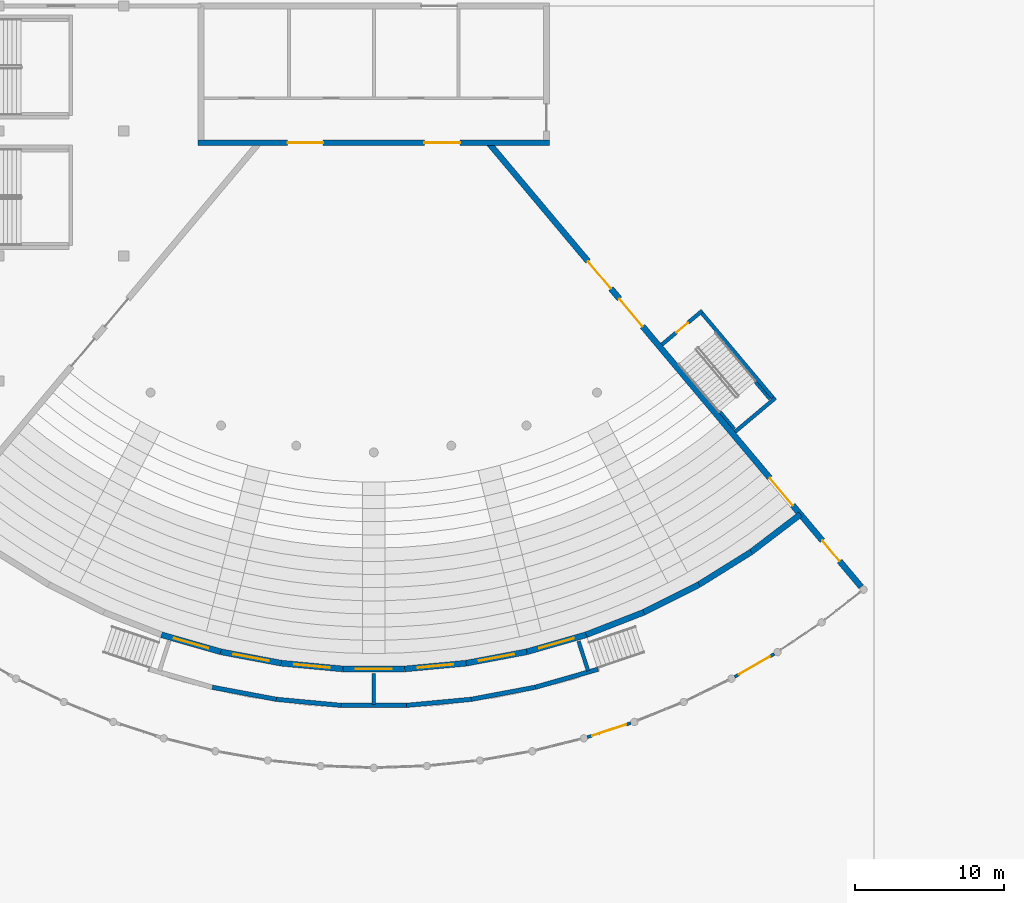
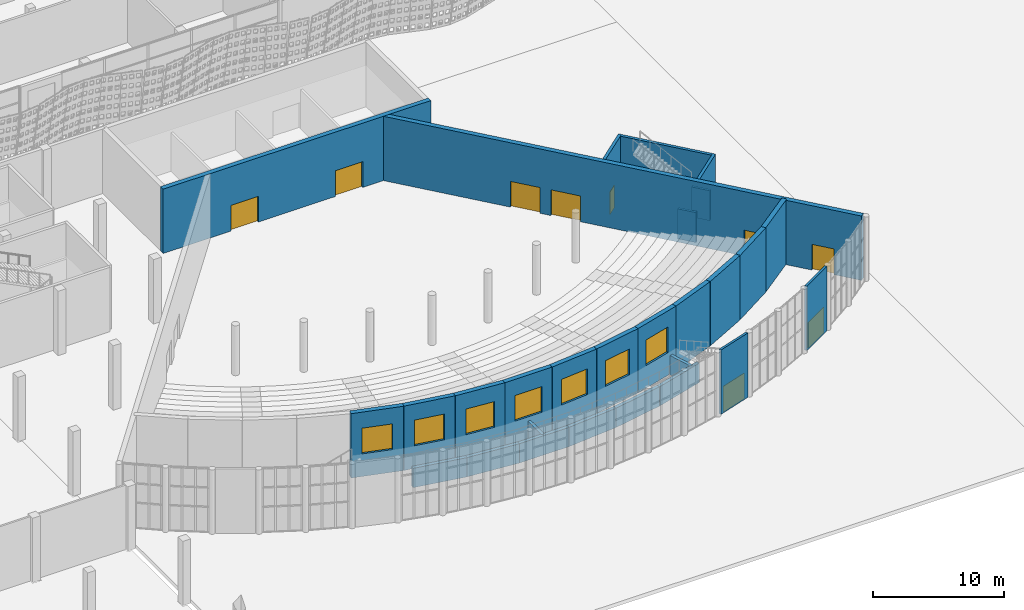
# One storey, part 109 of 210: 28 walls, 16 doors, 16 openings.
"""IFC4 building model written with IfcOpenShell, lengths in metres."""

from ifc_helpers import new_model, si_unit, direction, frame, frame_2d, origin, place, context, subcontext, project, spatial, rectangle, extrude, material, layer, layer_set, type_object, element, fill, save


model = new_model("IFC4")

# Units and contexts
model_context = context("Model", 3, precision=1e-05, world=origin(), true_north=direction((0.0, 1.0)))
body_context = subcontext(model_context, "Body", "Model", "MODEL_VIEW")
ifc_project = project(units=[si_unit("LENGTHUNIT", "METRE"), si_unit("AREAUNIT", "SQUARE_METRE"), si_unit("VOLUMEUNIT", "CUBIC_METRE"), si_unit("PLANEANGLEUNIT", "RADIAN"), si_unit("MASSUNIT", "GRAM", prefix="KILO")], contexts=[model_context])

# Site, building, storey
site_placement = place(None, origin())
site = spatial("IfcSite", under=ifc_project, at=site_placement, CompositionType="ELEMENT")
building_placement = place(site_placement, origin())
building = spatial("IfcBuilding", under=site, at=building_placement, Name="Rain Tree Exposition and Congress Centre", CompositionType="ELEMENT")
storey_placement = place(building_placement, origin())
storey = spatial("IfcBuildingStorey", under=building, at=storey_placement, Name="L00", CompositionType="ELEMENT", Elevation=0.0)

# Wall, openings, doors
ifc_material_1 = material(Name="Concrete C40/50", Category="concrete")
ifc_layer_1 = layer(ifc_material_1, 0.39990234375)
ifc_layer_set_1 = layer_set([ifc_layer_1], Name="Concrete C40/50")
wall_type_1 = type_object("IfcWallType", Name="Acoustic wall 400", PredefinedType="SHEAR", material=ifc_layer_set_1)
wall_1_placement = place(storey_placement, frame((209.3134765625, 58.007568359375, 0.0), z_axis=(0.0, 0.0, 1.0), x_axis=(0.642785544639, -0.766046175895, 0.0)))
wall_1 = element("IfcWall", 1, at=wall_1_placement, inside=storey, type_object=wall_type_1, Name="Side wall E", PredefinedType="SHEAR", context=body_context, shape_type="SweptSolid", body=[
    extrude(rectangle(XDim=38.9501953125, YDim=0.39990234375, at=frame_2d((19.47509765625, 0.0))), origin(), (0.0, 0.0, 1.0), 6.0),
])
opening_1_placement = place(wall_1_placement, frame((13.699951171875, 0.0, 0.0)))
opening_1 = element("IfcOpeningElement", 2, at=opening_1_placement, cuts=wall_1, Name="Opening DG104", PredefinedType="OPENING", context=body_context, shape_type="SweptSolid", body=[
    extrude(rectangle(XDim=2.39990234375, YDim=2.39990234375, at=frame_2d((1.199951171875, 1.199951171875))), frame((0.0, 0.199951171875, 0.0), z_axis=(0.0, -1.0, 0.0), x_axis=(1.0, 0.0, 0.0)), (0.0, 0.0, 1.0), 0.39990234375),
])
opening_2_placement = place(wall_1_placement, frame((10.39990234375, 0.0, 0.0)))
opening_2 = element("IfcOpeningElement", 3, at=opening_2_placement, cuts=wall_1, Name="Opening DG105", PredefinedType="OPENING", context=body_context, shape_type="SweptSolid", body=[
    extrude(rectangle(XDim=2.39990234375, YDim=2.39990234375, at=frame_2d((1.199951171875, 1.199951171875))), frame((0.0, 0.199951171875, 0.0), z_axis=(0.0, -1.0, 0.0), x_axis=(1.0, 0.0, 0.0)), (0.0, 0.0, 1.0), 0.39990234375),
])
opening_3_placement = place(wall_1_placement, frame((34.89990234375, 0.0, 0.0)))
opening_3 = element("IfcOpeningElement", 4, at=opening_3_placement, cuts=wall_1, Name="Opening DG106", PredefinedType="OPENING", context=body_context, shape_type="SweptSolid", body=[
    extrude(rectangle(XDim=1.800048828125, YDim=2.39990234375, at=frame_2d((0.89990234375, 1.199951171875))), frame((0.0, 0.199951171875, 0.0), z_axis=(0.0, -1.0, 0.0), x_axis=(1.0, 0.0, 0.0)), (0.0, 0.0, 1.0), 0.39990234375),
])
opening_4_placement = place(wall_1_placement, frame((29.39990234375, 0.0, 0.0)))
opening_4 = element("IfcOpeningElement", 5, at=opening_4_placement, cuts=wall_1, Name="Opening DG107", PredefinedType="OPENING", context=body_context, shape_type="SweptSolid", body=[
    extrude(rectangle(XDim=2.39990234375, YDim=2.39990234375, at=frame_2d((1.199951171875, 1.199951171875))), frame((0.0, 0.199951171875, 0.0), z_axis=(0.0, -1.0, 0.0), x_axis=(1.0, 0.0, 0.0)), (0.0, 0.0, 1.0), 0.39990234375),
])
ifc_material_2 = material(Name="Timber with steel frame", Category="steel")
door_type_1 = type_object("IfcDoorType", Name="Auditorium exit door 1800x2400", OperationType="DOUBLE_DOOR_SINGLE_SWING", PredefinedType="DOOR", material=ifc_material_2)
door_1_placement = place(opening_3_placement, origin())
door_1 = element("IfcDoor", 6, at=door_1_placement, inside=storey, type_object=door_type_1, Name="DG106", OperationType="DOUBLE_DOOR_SINGLE_SWING", OverallHeight=2.39990234375, OverallWidth=1.800048828125, PredefinedType="DOOR", context=body_context, shape_type="SweptSolid", body=[
    extrude(rectangle(XDim=1.800048828125, YDim=2.39990234375, at=frame_2d((0.89990234375, 1.199951171875))), frame((0.0, 0.02490234375, 0.0), z_axis=(0.0, -1.0, 0.0), x_axis=(1.0, 0.0, 0.0)), (0.0, 0.0, 1.0), 0.050048828125),
])
fill(opening_3, door_1)
ifc_material_3 = material(Name="Aluminium and glass", Category="aluminium")
door_type_2 = type_object("IfcDoorType", Name="Entrance door 2400x2400", OperationType="DOUBLE_DOOR_SINGLE_SWING", PredefinedType="DOOR", material=ifc_material_3)
door_2_placement = place(opening_1_placement, origin())
door_2 = element("IfcDoor", 7, at=door_2_placement, inside=storey, type_object=door_type_2, Name="DG104", OperationType="DOUBLE_DOOR_SINGLE_SWING", OverallHeight=2.39990234375, OverallWidth=2.39990234375, PredefinedType="DOOR", context=body_context, shape_type="SweptSolid", body=[
    extrude(rectangle(XDim=2.39990234375, YDim=2.39990234375, at=frame_2d((1.199951171875, 1.199951171875))), frame((0.0, 0.02490234375, 0.0), z_axis=(0.0, -1.0, 0.0), x_axis=(1.0, 0.0, 0.0)), (0.0, 0.0, 1.0), 0.050048828125),
])
fill(opening_1, door_2)
door_3_placement = place(opening_2_placement, origin())
door_3 = element("IfcDoor", 8, at=door_3_placement, inside=storey, type_object=door_type_2, Name="DG105", OperationType="DOUBLE_DOOR_SINGLE_SWING", OverallHeight=2.39990234375, OverallWidth=2.39990234375, PredefinedType="DOOR", context=body_context, shape_type="SweptSolid", body=[
    extrude(rectangle(XDim=2.39990234375, YDim=2.39990234375, at=frame_2d((1.199951171875, 1.199951171875))), frame((0.0, 0.02490234375, 0.0), z_axis=(0.0, -1.0, 0.0), x_axis=(1.0, 0.0, 0.0)), (0.0, 0.0, 1.0), 0.050048828125),
])
fill(opening_2, door_3)
door_4_placement = place(opening_4_placement, origin())
door_4 = element("IfcDoor", 9, at=door_4_placement, inside=storey, type_object=door_type_2, Name="DG107", OperationType="DOUBLE_DOOR_SINGLE_SWING", OverallHeight=2.39990234375, OverallWidth=2.39990234375, PredefinedType="DOOR", context=body_context, shape_type="SweptSolid", body=[
    extrude(rectangle(XDim=2.39990234375, YDim=2.39990234375, at=frame_2d((1.199951171875, 1.199951171875))), frame((0.0, 0.02490234375, 0.0), z_axis=(0.0, -1.0, 0.0), x_axis=(1.0, 0.0, 0.0)), (0.0, 0.0, 1.0), 0.050048828125),
])
fill(opening_4, door_4)

# Wall, opening, door
wall_2_placement = place(storey_placement, frame((187.3251953125, 24.946044921875, 0.0), z_axis=(0.0, 0.0, 1.0), x_axis=(0.961268236171, -0.275614546295, 0.0)))
wall_2 = element("IfcWall", 10, at=wall_2_placement, inside=storey, type_object=wall_type_1, Name="Rear wall 5", PredefinedType="SHEAR", context=body_context, shape_type="SweptSolid", body=[
    extrude(rectangle(XDim=4.14990234375, YDim=0.39990234375, at=frame_2d((2.074951171875, 0.0))), origin(), (0.0, 0.0, 1.0), 6.0),
])
opening_5_placement = place(wall_2_placement, frame((0.875, 0.0, 2.10009765625)))
opening_5 = element("IfcOpeningElement", 11, at=opening_5_placement, cuts=wall_2, Name="Opening DG110", PredefinedType="OPENING", context=body_context, shape_type="SweptSolid", body=[
    extrude(rectangle(XDim=2.39990234375, YDim=2.39990234375, at=frame_2d((1.199951171875, 1.199951171875))), frame((0.0, 0.199951171875, 0.0), z_axis=(0.0, -1.0, 0.0), x_axis=(1.0, 0.0, 0.0)), (0.0, 0.0, 1.0), 0.39990234375),
])
door_5_placement = place(opening_5_placement, origin())
door_5 = element("IfcDoor", 12, at=door_5_placement, inside=storey, type_object=door_type_2, Name="DG110", OperationType="DOUBLE_DOOR_SINGLE_SWING", OverallHeight=2.39990234375, OverallWidth=2.39990234375, PredefinedType="DOOR", context=body_context, shape_type="SweptSolid", body=[
    extrude(rectangle(XDim=2.39990234375, YDim=2.39990234375, at=frame_2d((1.199951171875, 1.199951171875))), frame((0.0, 0.02490234375, 0.0), z_axis=(0.0, -1.0, 0.0), x_axis=(1.0, 0.0, 0.0)), (0.0, 0.0, 1.0), 0.050048828125),
])
fill(opening_5, door_5)

wall_3_placement = place(storey_placement, frame((191.314453125, 23.80224609375, 0.0), z_axis=(0.0, 0.0, 1.0), x_axis=(0.982713991067, -0.185130256204, 0.0)))
wall_3 = element("IfcWall", 13, at=wall_3_placement, inside=storey, type_object=wall_type_1, Name="Rear wall 6", PredefinedType="SHEAR", context=body_context, shape_type="SweptSolid", body=[
    extrude(rectangle(XDim=4.150146484375, YDim=0.39990234375, at=frame_2d((2.0751953125, 0.0))), origin(), (0.0, 0.0, 1.0), 6.0),
])
opening_6_placement = place(wall_3_placement, frame((0.875, 0.0, 2.10009765625)))
opening_6 = element("IfcOpeningElement", 14, at=opening_6_placement, cuts=wall_3, Name="Opening DG111", PredefinedType="OPENING", context=body_context, shape_type="SweptSolid", body=[
    extrude(rectangle(XDim=2.39990234375, YDim=2.39990234375, at=frame_2d((1.199951171875, 1.199951171875))), frame((0.0, 0.199951171875, 0.0), z_axis=(0.0, -1.0, 0.0), x_axis=(1.0, 0.0, 0.0)), (0.0, 0.0, 1.0), 0.39990234375),
])
door_6_placement = place(opening_6_placement, origin())
door_6 = element("IfcDoor", 15, at=door_6_placement, inside=storey, type_object=door_type_2, Name="DG111", OperationType="DOUBLE_DOOR_SINGLE_SWING", OverallHeight=2.39990234375, OverallWidth=2.39990234375, PredefinedType="DOOR", context=body_context, shape_type="SweptSolid", body=[
    extrude(rectangle(XDim=2.39990234375, YDim=2.39990234375, at=frame_2d((1.199951171875, 1.199951171875))), frame((0.0, 0.02490234375, 0.0), z_axis=(0.0, -1.0, 0.0), x_axis=(1.0, 0.0, 0.0)), (0.0, 0.0, 1.0), 0.050048828125),
])
fill(opening_6, door_6)

wall_4_placement = place(storey_placement, frame((195.392822265625, 23.033935546875, 0.0), z_axis=(0.0, 0.0, 1.0), x_axis=(0.99567088113, -0.09294889171, 0.0)))
wall_4 = element("IfcWall", 16, at=wall_4_placement, inside=storey, type_object=wall_type_1, Name="Rear wall 7", PredefinedType="SHEAR", context=body_context, shape_type="SweptSolid", body=[
    extrude(rectangle(XDim=4.150146484375, YDim=0.39990234375, at=frame_2d((2.0751953125, 0.0))), origin(), (0.0, 0.0, 1.0), 6.0),
])
opening_7_placement = place(wall_4_placement, frame((0.875, 0.0, 2.10009765625)))
opening_7 = element("IfcOpeningElement", 17, at=opening_7_placement, cuts=wall_4, Name="Opening DG112", PredefinedType="OPENING", context=body_context, shape_type="SweptSolid", body=[
    extrude(rectangle(XDim=2.39990234375, YDim=2.39990234375, at=frame_2d((1.199951171875, 1.199951171875))), frame((0.0, 0.199951171875, 0.0), z_axis=(0.0, -1.0, 0.0), x_axis=(1.0, 0.0, 0.0)), (0.0, 0.0, 1.0), 0.39990234375),
])
door_7_placement = place(opening_7_placement, origin())
door_7 = element("IfcDoor", 18, at=door_7_placement, inside=storey, type_object=door_type_2, Name="DG112", OperationType="DOUBLE_DOOR_SINGLE_SWING", OverallHeight=2.39990234375, OverallWidth=2.39990234375, PredefinedType="DOOR", context=body_context, shape_type="SweptSolid", body=[
    extrude(rectangle(XDim=2.39990234375, YDim=2.39990234375, at=frame_2d((1.199951171875, 1.199951171875))), frame((0.0, 0.02490234375, 0.0), z_axis=(0.0, -1.0, 0.0), x_axis=(1.0, 0.0, 0.0)), (0.0, 0.0, 1.0), 0.050048828125),
])
fill(opening_7, door_7)

wall_5_placement = place(storey_placement, frame((199.52490234375, 22.648193359375, 0.0), z_axis=(0.0, 0.0, 1.0), x_axis=(1.0, 0.0, 0.0)))
wall_5 = element("IfcWall", 19, at=wall_5_placement, inside=storey, type_object=wall_type_1, Name="Rear wall 8", PredefinedType="SHEAR", context=body_context, shape_type="SweptSolid", body=[
    extrude(rectangle(XDim=4.150146484375, YDim=0.39990234375, at=frame_2d((2.0751953125, 0.0))), origin(), (0.0, 0.0, 1.0), 6.0),
])
opening_8_placement = place(wall_5_placement, frame((0.875, 0.0, 2.10009765625)))
opening_8 = element("IfcOpeningElement", 20, at=opening_8_placement, cuts=wall_5, Name="Opening DG113", PredefinedType="OPENING", context=body_context, shape_type="SweptSolid", body=[
    extrude(rectangle(XDim=2.39990234375, YDim=2.39990234375, at=frame_2d((1.199951171875, 1.199951171875))), frame((0.0, 0.199951171875, 0.0), z_axis=(0.0, -1.0, 0.0), x_axis=(1.0, 0.0, 0.0)), (0.0, 0.0, 1.0), 0.39990234375),
])
door_8_placement = place(opening_8_placement, origin())
door_8 = element("IfcDoor", 21, at=door_8_placement, inside=storey, type_object=door_type_2, Name="DG113", OperationType="DOUBLE_DOOR_SINGLE_SWING", OverallHeight=2.39990234375, OverallWidth=2.39990234375, PredefinedType="DOOR", context=body_context, shape_type="SweptSolid", body=[
    extrude(rectangle(XDim=2.39990234375, YDim=2.39990234375, at=frame_2d((1.199951171875, 1.199951171875))), frame((0.0, 0.02490234375, 0.0), z_axis=(0.0, -1.0, 0.0), x_axis=(1.0, 0.0, 0.0)), (0.0, 0.0, 1.0), 0.050048828125),
])
fill(opening_8, door_8)

wall_6_placement = place(storey_placement, frame((203.675048828125, 22.648193359375, 0.0), z_axis=(0.0, 0.0, 1.0), x_axis=(0.99567088113, 0.09294889171, 0.0)))
wall_6 = element("IfcWall", 22, at=wall_6_placement, inside=storey, type_object=wall_type_1, Name="Rear wall 9", PredefinedType="SHEAR", context=body_context, shape_type="SweptSolid", body=[
    extrude(rectangle(XDim=4.150146484375, YDim=0.39990234375, at=frame_2d((2.0751953125, 0.0))), origin(), (0.0, 0.0, 1.0), 6.0),
])
opening_9_placement = place(wall_6_placement, frame((0.875, 0.0, 2.10009765625)))
opening_9 = element("IfcOpeningElement", 23, at=opening_9_placement, cuts=wall_6, Name="Opening DG114", PredefinedType="OPENING", context=body_context, shape_type="SweptSolid", body=[
    extrude(rectangle(XDim=2.39990234375, YDim=2.39990234375, at=frame_2d((1.199951171875, 1.199951171875))), frame((0.0, 0.199951171875, 0.0), z_axis=(0.0, -1.0, 0.0), x_axis=(1.0, 0.0, 0.0)), (0.0, 0.0, 1.0), 0.39990234375),
])
door_9_placement = place(opening_9_placement, origin())
door_9 = element("IfcDoor", 24, at=door_9_placement, inside=storey, type_object=door_type_2, Name="DG114", OperationType="DOUBLE_DOOR_SINGLE_SWING", OverallHeight=2.39990234375, OverallWidth=2.39990234375, PredefinedType="DOOR", context=body_context, shape_type="SweptSolid", body=[
    extrude(rectangle(XDim=2.39990234375, YDim=2.39990234375, at=frame_2d((1.199951171875, 1.199951171875))), frame((0.0, 0.02490234375, 0.0), z_axis=(0.0, -1.0, 0.0), x_axis=(1.0, 0.0, 0.0)), (0.0, 0.0, 1.0), 0.050048828125),
])
fill(opening_9, door_9)

wall_7_placement = place(storey_placement, frame((207.80712890625, 23.033935546875, 0.0), z_axis=(0.0, 0.0, 1.0), x_axis=(0.982713991067, 0.185130256204, 0.0)))
wall_7 = element("IfcWall", 25, at=wall_7_placement, inside=storey, type_object=wall_type_1, Name="Rear wall 10", PredefinedType="SHEAR", context=body_context, shape_type="SweptSolid", body=[
    extrude(rectangle(XDim=4.150146484375, YDim=0.39990234375, at=frame_2d((2.0751953125, 0.0))), origin(), (0.0, 0.0, 1.0), 6.0),
])
opening_10_placement = place(wall_7_placement, frame((0.875, 0.0, 2.10009765625)))
opening_10 = element("IfcOpeningElement", 26, at=opening_10_placement, cuts=wall_7, Name="Opening DG115", PredefinedType="OPENING", context=body_context, shape_type="SweptSolid", body=[
    extrude(rectangle(XDim=2.39990234375, YDim=2.39990234375, at=frame_2d((1.199951171875, 1.199951171875))), frame((0.0, 0.199951171875, 0.0), z_axis=(0.0, -1.0, 0.0), x_axis=(1.0, 0.0, 0.0)), (0.0, 0.0, 1.0), 0.39990234375),
])
door_10_placement = place(opening_10_placement, origin())
door_10 = element("IfcDoor", 27, at=door_10_placement, inside=storey, type_object=door_type_2, Name="DG115", OperationType="DOUBLE_DOOR_SINGLE_SWING", OverallHeight=2.39990234375, OverallWidth=2.39990234375, PredefinedType="DOOR", context=body_context, shape_type="SweptSolid", body=[
    extrude(rectangle(XDim=2.39990234375, YDim=2.39990234375, at=frame_2d((1.199951171875, 1.199951171875))), frame((0.0, 0.02490234375, 0.0), z_axis=(0.0, -1.0, 0.0), x_axis=(1.0, 0.0, 0.0)), (0.0, 0.0, 1.0), 0.050048828125),
])
fill(opening_10, door_10)

wall_8_placement = place(storey_placement, frame((211.885498046875, 23.80224609375, 0.0), z_axis=(0.0, 0.0, 1.0), x_axis=(0.961268236171, 0.275614546295, 0.0)))
wall_8 = element("IfcWall", 28, at=wall_8_placement, inside=storey, type_object=wall_type_1, Name="Rear wall 11", PredefinedType="SHEAR", context=body_context, shape_type="SweptSolid", body=[
    extrude(rectangle(XDim=4.14990234375, YDim=0.39990234375, at=frame_2d((2.074951171875, 0.0))), origin(), (0.0, 0.0, 1.0), 6.0),
])
opening_11_placement = place(wall_8_placement, frame((0.875, 0.0, 2.10009765625)))
opening_11 = element("IfcOpeningElement", 29, at=opening_11_placement, cuts=wall_8, Name="Opening DG116", PredefinedType="OPENING", context=body_context, shape_type="SweptSolid", body=[
    extrude(rectangle(XDim=2.39990234375, YDim=2.39990234375, at=frame_2d((1.199951171875, 1.199951171875))), frame((0.0, 0.199951171875, 0.0), z_axis=(0.0, -1.0, 0.0), x_axis=(1.0, 0.0, 0.0)), (0.0, 0.0, 1.0), 0.39990234375),
])
door_11_placement = place(opening_11_placement, origin())
door_11 = element("IfcDoor", 30, at=door_11_placement, inside=storey, type_object=door_type_2, Name="DG116", OperationType="DOUBLE_DOOR_SINGLE_SWING", OverallHeight=2.39990234375, OverallWidth=2.39990234375, PredefinedType="DOOR", context=body_context, shape_type="SweptSolid", body=[
    extrude(rectangle(XDim=2.39990234375, YDim=2.39990234375, at=frame_2d((1.199951171875, 1.199951171875))), frame((0.0, 0.02490234375, 0.0), z_axis=(0.0, -1.0, 0.0), x_axis=(1.0, 0.0, 0.0)), (0.0, 0.0, 1.0), 0.050048828125),
])
fill(opening_11, door_11)

# Walls
for number, where, z_axis, x_axis, name in (
    (31, (215.874755859375, 24.946044921875, 0.0), (0.0, 0.0, 1.0), (0.931480400258, 0.363791511633, 0.0), "Rear wall 12"),
    (32, (219.740478515625, 26.455810546875, 0.0), (0.0, 0.0, 1.0), (0.893637522773, 0.448789458313, 0.0), "Rear wall 13"),
):
    element("IfcWall", number, at=place(storey_placement, frame(where, z_axis=z_axis, x_axis=x_axis)), inside=storey, type_object=wall_type_1, Name=name, PredefinedType="SHEAR", context=body_context, shape_type="SweptSolid", body=[
        extrude(rectangle(XDim=4.150146484375, YDim=0.39990234375, at=frame_2d((2.0751953125, 0.0))), origin(), (0.0, 0.0, 1.0), 6.0),
    ])
wall_9_placement = place(storey_placement, frame((223.44921875, 28.318359375, 0.0), z_axis=(0.0, 0.0, 1.0), x_axis=(0.848034657637, 0.529940769753, 0.0)))
element("IfcWall", 33, at=wall_9_placement, inside=storey, type_object=wall_type_1, Name="Rear wall 14", PredefinedType="SHEAR", context=body_context, shape_type="SweptSolid", body=[
    extrude(rectangle(XDim=4.14990234375, YDim=0.39990234375, at=frame_2d((2.074951171875, 0.0))), origin(), (0.0, 0.0, 1.0), 6.0),
])
wall_10_placement = place(storey_placement, frame((226.968505859375, 30.517578125, 0.0), z_axis=(0.0, 0.0, 1.0), x_axis=(0.795116964112, 0.60645611002, 0.0)))
element("IfcWall", 34, at=wall_10_placement, inside=storey, type_object=wall_type_1, Name="Rear wall 15", PredefinedType="SHEAR", context=body_context, shape_type="SweptSolid", body=[
    extrude(rectangle(XDim=4.150146484375, YDim=0.39990234375, at=frame_2d((2.0751953125, 0.0))), origin(), (0.0, 0.0, 1.0), 6.0),
])

# Wall, openings, doors
wall_11_placement = place(storey_placement, frame((189.800048828125, 58.010009765625, 0.0), z_axis=(0.0, 0.0, 1.0), x_axis=(1.0, 0.0, 0.0)))
wall_11 = element("IfcWall", 35, at=wall_11_placement, inside=storey, type_object=wall_type_1, Name="Stage wall", PredefinedType="SHEAR", context=body_context, shape_type="SweptSolid", body=[
    extrude(rectangle(XDim=23.599853515625, YDim=0.39990234375, at=frame_2d((11.7998046875, 0.0))), origin(), (0.0, 0.0, 1.0), 6.0),
])
opening_12_placement = place(wall_11_placement, frame((6.0, 0.0, 0.0)))
opening_12 = element("IfcOpeningElement", 36, at=opening_12_placement, cuts=wall_11, Name="Opening DG117", PredefinedType="OPENING", context=body_context, shape_type="SweptSolid", body=[
    extrude(rectangle(XDim=2.39990234375, YDim=2.39990234375, at=frame_2d((1.199951171875, 1.199951171875))), frame((0.0, 0.199951171875, 0.0), z_axis=(0.0, -1.0, 0.0), x_axis=(1.0, 0.0, 0.0)), (0.0, 0.0, 1.0), 0.39990234375),
])
opening_13_placement = place(wall_11_placement, frame((15.199951171875, 0.0, 0.0)))
opening_13 = element("IfcOpeningElement", 37, at=opening_13_placement, cuts=wall_11, Name="Opening DG118", PredefinedType="OPENING", context=body_context, shape_type="SweptSolid", body=[
    extrude(rectangle(XDim=2.39990234375, YDim=2.39990234375, at=frame_2d((1.199951171875, 1.199951171875))), frame((0.0, 0.199951171875, 0.0), z_axis=(0.0, -1.0, 0.0), x_axis=(1.0, 0.0, 0.0)), (0.0, 0.0, 1.0), 0.39990234375),
])
ifc_material_4 = material(Name="Steel", Category="steel")
door_type_3 = type_object("IfcDoorType", Name="Scenery door 2400x2400", OperationType="DOUBLE_DOOR_SINGLE_SWING", PredefinedType="DOOR", material=ifc_material_4)
door_12_placement = place(opening_12_placement, origin())
door_12 = element("IfcDoor", 38, at=door_12_placement, inside=storey, type_object=door_type_3, Name="DG117", OperationType="DOUBLE_DOOR_SINGLE_SWING", OverallHeight=2.39990234375, OverallWidth=2.39990234375, PredefinedType="DOOR", context=body_context, shape_type="SweptSolid", body=[
    extrude(rectangle(XDim=2.39990234375, YDim=2.39990234375, at=frame_2d((1.199951171875, 1.199951171875))), frame((0.0, 0.02490234375, 0.0), z_axis=(0.0, -1.0, 0.0), x_axis=(1.0, 0.0, 0.0)), (0.0, 0.0, 1.0), 0.050048828125),
])
fill(opening_12, door_12)
door_13_placement = place(opening_13_placement, origin())
door_13 = element("IfcDoor", 39, at=door_13_placement, inside=storey, type_object=door_type_3, Name="DG118", OperationType="DOUBLE_DOOR_SINGLE_SWING", OverallHeight=2.39990234375, OverallWidth=2.39990234375, PredefinedType="DOOR", context=body_context, shape_type="SweptSolid", body=[
    extrude(rectangle(XDim=2.39990234375, YDim=2.39990234375, at=frame_2d((1.199951171875, 1.199951171875))), frame((0.0, 0.02490234375, 0.0), z_axis=(0.0, -1.0, 0.0), x_axis=(1.0, 0.0, 0.0)), (0.0, 0.0, 1.0), 0.050048828125),
])
fill(opening_13, door_13)

# Walls
ifc_material_5 = material(Name="Concrete C40/50", Category="concrete")
ifc_layer_2 = layer(ifc_material_5, 0.25)
ifc_layer_set_2 = layer_set([ifc_layer_2], Name="Concrete C40/50")
wall_type_2 = type_object("IfcWallType", Name="Core wall 250", PredefinedType="SHEAR", material=ifc_layer_set_2)
for number, where, z_axis, x_axis, name in (
    (40, (224.873779296875, 39.93017578125, 0.0), (0.0, 0.0, 1.0), (0.64272629393, -0.766095888966, 0.0), "ST-G2 landing support wall 1"),
    (41, (228.212646484375, 40.773681640625, 0.0), (0.0, 0.0, 1.0), (-0.64272629393, 0.766095888966, 0.0), "ST-G2 landing support wall 2"),
):
    element("IfcWall", number, at=place(storey_placement, frame(where, z_axis=z_axis, x_axis=x_axis)), inside=storey, type_object=wall_type_2, Name=name, PredefinedType="SHEAR", context=body_context, shape_type="SweptSolid", body=[
        extrude(rectangle(XDim=1.5, YDim=0.199951171875, at=frame_2d((0.75, 0.0))), origin(), (0.0, 0.0, 1.0), 2.800048828125),
    ])

# Wall, opening, door
wall_12_placement = place(storey_placement, frame((220.95654296875, 44.443115234375, 0.0), z_axis=(0.0, 0.0, 1.0), x_axis=(0.766040775131, 0.642791980999, 0.0)))
wall_12 = element("IfcWall", 42, at=wall_12_placement, inside=storey, type_object=wall_type_2, Name="Stair ST-G2 near wall", PredefinedType="SHEAR", context=body_context, shape_type="SweptSolid", body=[
    extrude(rectangle(XDim=3.5498046875, YDim=0.25, at=frame_2d((1.77490234375, 0.0))), origin(), (0.0, 0.0, 1.0), 6.0),
])
opening_14_placement = place(wall_12_placement, frame((1.27490234375, 0.0, 0.0)))
opening_14 = element("IfcOpeningElement", 43, at=opening_14_placement, cuts=wall_12, Name="Opening DG134", PredefinedType="OPENING", context=body_context, shape_type="SweptSolid", body=[
    extrude(rectangle(XDim=1.0, YDim=2.10009765625, at=frame_2d((0.5, 1.050048828125))), frame((0.0, 0.125, 0.0), z_axis=(0.0, -1.0, 0.0), x_axis=(1.0, 0.0, 0.0)), (0.0, 0.0, 1.0), 0.25),
])
ifc_material_6 = material(Name="Steel", Category="steel")
door_type_4 = type_object("IfcDoorType", Name="Fire door 1000x2100 congress", OperationType="NOTDEFINED", PredefinedType="DOOR", material=ifc_material_6)
door_14_placement = place(opening_14_placement, origin())
door_14 = element("IfcDoor", 44, at=door_14_placement, inside=storey, type_object=door_type_4, Name="DG134", OperationType="SINGLE_SWING_LEFT", OverallHeight=2.10009765625, OverallWidth=1.0, PredefinedType="DOOR", context=body_context, shape_type="SweptSolid", body=[
    extrude(rectangle(XDim=1.0, YDim=2.10009765625, at=frame_2d((0.5, 1.050048828125))), frame((0.0, 0.02490234375, 0.0), z_axis=(0.0, -1.0, 0.0), x_axis=(1.0, 0.0, 0.0)), (0.0, 0.0, 1.0), 0.050048828125),
])
fill(opening_14, door_14)

# Walls
wall_13_placement = place(storey_placement, frame((225.873779296875, 38.582763671875, 0.0), z_axis=(0.0, 0.0, 1.0), x_axis=(0.766069190366, 0.642758115913, 0.0)))
element("IfcWall", 45, at=wall_13_placement, inside=storey, type_object=wall_type_2, Name="Stair ST-G2 far wall", PredefinedType="SHEAR", context=body_context, shape_type="SweptSolid", body=[
    extrude(rectangle(XDim=3.5498046875, YDim=0.25, at=frame_2d((1.77490234375, 0.0))), origin(), (0.0, 0.0, 1.0), 6.0),
])
wall_14_placement = place(storey_placement, frame((223.660400390625, 46.548828125, 0.0), z_axis=(0.0, 0.0, 1.0), x_axis=(0.642789672733, -0.766042712013, 0.0)))
element("IfcWall", 46, at=wall_14_placement, inside=storey, type_object=wall_type_2, Name="Stair ST-G2 outer wall", PredefinedType="SHEAR", context=body_context, shape_type="SweptSolid", body=[
    extrude(rectangle(XDim=7.400390625, YDim=0.25, at=frame_2d((3.7001953125, 0.0))), origin(), (0.0, 0.0, 1.0), 6.0),
])

# Wall, opening, door
ifc_material_7 = material(Name="Concrete C32/40", Category="concrete")
ifc_layer_3 = layer(ifc_material_7, 0.199951171875)
ifc_layer_set_3 = layer_set([ifc_layer_3], Name="Concrete C32/40")
wall_type_3 = type_object("IfcWallType", Name="Entrance infill wall 200", PredefinedType="SOLIDWALL", material=ifc_layer_set_3)
wall_15_placement = place(storey_placement, frame((215.950439453125, 18.060791015625, 0.0), z_axis=(0.0, 0.0, 1.0), x_axis=(0.951070251543, 0.308974718432, 0.0)))
wall_15 = element("IfcWall", 47, at=wall_15_placement, inside=storey, type_object=wall_type_3, Name="Entrance infill wall 15", PredefinedType="SOLIDWALL", context=body_context, shape_type="SweptSolid", body=[
    extrude(rectangle(XDim=3.07373046875, YDim=0.199951171875, at=frame_2d((1.536865234375, 0.0))), origin(), (0.0, 0.0, 1.0), 6.0),
])
opening_15_placement = place(wall_15_placement, frame((0.3369140625, 0.0, 0.0)))
opening_15 = element("IfcOpeningElement", 48, at=opening_15_placement, cuts=wall_15, Name="Opening DG127", PredefinedType="OPENING", context=body_context, shape_type="SweptSolid", body=[
    extrude(rectangle(XDim=2.39990234375, YDim=2.39990234375, at=frame_2d((1.199951171875, 1.199951171875))), frame((0.0, 0.10009765625, 0.0), z_axis=(0.0, -1.0, 0.0), x_axis=(1.0, 0.0, 0.0)), (0.0, 0.0, 1.0), 0.199951171875),
])
door_15_placement = place(opening_15_placement, origin())
door_15 = element("IfcDoor", 49, at=door_15_placement, inside=storey, type_object=door_type_2, Name="DG127", OperationType="DOUBLE_DOOR_SINGLE_SWING", OverallHeight=2.39990234375, OverallWidth=2.39990234375, PredefinedType="DOOR", context=body_context, shape_type="SweptSolid", body=[
    extrude(rectangle(XDim=2.39990234375, YDim=2.39990234375, at=frame_2d((1.199951171875, 1.199951171875))), frame((0.0, 0.02490234375, 0.0), z_axis=(0.0, -1.0, 0.0), x_axis=(1.0, 0.0, 0.0)), (0.0, 0.0, 1.0), 0.050048828125),
])
fill(opening_15, door_15)

wall_16_placement = place(storey_placement, frame((225.853515625, 22.1181640625, 0.0), z_axis=(0.0, 0.0, 1.0), x_axis=(0.866054637847, 0.499949361699, 0.0)))
wall_16 = element("IfcWall", 50, at=wall_16_placement, inside=storey, type_object=wall_type_3, Name="Entrance infill wall 18", PredefinedType="SOLIDWALL", context=body_context, shape_type="SweptSolid", body=[
    extrude(rectangle(XDim=3.073486328125, YDim=0.199951171875, at=frame_2d((1.53662109375, 0.0))), origin(), (0.0, 0.0, 1.0), 6.0),
])
opening_16_placement = place(wall_16_placement, frame((0.3369140625, 0.0, 0.0)))
opening_16 = element("IfcOpeningElement", 51, at=opening_16_placement, cuts=wall_16, Name="Opening DG128", PredefinedType="OPENING", context=body_context, shape_type="SweptSolid", body=[
    extrude(rectangle(XDim=2.39990234375, YDim=2.39990234375, at=frame_2d((1.199951171875, 1.199951171875))), frame((0.0, 0.10009765625, 0.0), z_axis=(0.0, -1.0, 0.0), x_axis=(1.0, 0.0, 0.0)), (0.0, 0.0, 1.0), 0.199951171875),
])
door_16_placement = place(opening_16_placement, origin())
door_16 = element("IfcDoor", 52, at=door_16_placement, inside=storey, type_object=door_type_2, Name="DG128", OperationType="DOUBLE_DOOR_SINGLE_SWING", OverallHeight=2.39990234375, OverallWidth=2.39990234375, PredefinedType="DOOR", context=body_context, shape_type="SweptSolid", body=[
    extrude(rectangle(XDim=2.39990234375, YDim=2.39990234375, at=frame_2d((1.199951171875, 1.199951171875))), frame((0.0, 0.02490234375, 0.0), z_axis=(0.0, -1.0, 0.0), x_axis=(1.0, 0.0, 0.0)), (0.0, 0.0, 1.0), 0.050048828125),
])
fill(opening_16, door_16)

# Walls
ifc_material_8 = material(Name="Concrete C40/50", Category="concrete")
ifc_layer_4 = layer(ifc_material_8, 0.300048828125)
ifc_layer_set_4 = layer_set([ifc_layer_4], Name="Concrete C40/50")
wall_type_4 = type_object("IfcWallType", Name="Exit landing support wall 300", PredefinedType="SOLIDWALL", material=ifc_layer_set_4)
wall_17_placement = place(storey_placement, frame((190.74951171875, 21.418212890625, 0.0), z_axis=(0.0, 0.0, 1.0), x_axis=(0.982723516011, -0.185079688455, 0.0)))
element("IfcWall", 53, at=wall_17_placement, inside=storey, type_object=wall_type_4, Name="Rear exit landing front wall 2", PredefinedType="SOLIDWALL", context=body_context, shape_type="SweptSolid", body=[
    extrude(rectangle(XDim=4.378173828125, YDim=0.300048828125, at=frame_2d((2.18896484375, 0.0))), origin(), (0.0, 0.0, 1.0), 1.800048828125),
])
wall_18_placement = place(storey_placement, frame((195.052001953125, 20.60791015625, 0.0), z_axis=(0.0, 0.0, 1.0), x_axis=(0.995669461529, -0.092964097254, 0.0)))
element("IfcWall", 54, at=wall_18_placement, inside=storey, type_object=wall_type_4, Name="Rear exit landing front wall 3", PredefinedType="SOLIDWALL", context=body_context, shape_type="SweptSolid", body=[
    extrude(rectangle(XDim=4.3779296875, YDim=0.300048828125, at=frame_2d((2.18896484375, 0.0))), origin(), (0.0, 0.0, 1.0), 1.800048828125),
])
for number, where, z_axis, x_axis, name in (
    (55, (199.410888671875, 20.200927734375, 0.0), (0.0, 0.0, 1.0), (1.0, 0.0, 0.0), "Rear exit landing front wall 4"),
    (56, (203.7890625, 20.200927734375, 0.0), (0.0, 0.0, 1.0), (0.995669943448, 0.092958935633, 0.0), "Rear exit landing front wall 5"),
):
    element("IfcWall", number, at=place(storey_placement, frame(where, z_axis=z_axis, x_axis=x_axis)), inside=storey, type_object=wall_type_4, Name=name, PredefinedType="SOLIDWALL", context=body_context, shape_type="SweptSolid", body=[
        extrude(rectangle(XDim=4.378173828125, YDim=0.300048828125, at=frame_2d((2.18896484375, 0.0))), origin(), (0.0, 0.0, 1.0), 1.800048828125),
    ])
wall_19_placement = place(storey_placement, frame((208.148193359375, 20.60791015625, 0.0), z_axis=(0.0, 0.0, 1.0), x_axis=(0.982721605697, 0.185089831421, 0.0)))
element("IfcWall", 57, at=wall_19_placement, inside=storey, type_object=wall_type_4, Name="Rear exit landing front wall 6", PredefinedType="SOLIDWALL", context=body_context, shape_type="SweptSolid", body=[
    extrude(rectangle(XDim=4.3779296875, YDim=0.300048828125, at=frame_2d((2.18896484375, 0.0))), origin(), (0.0, 0.0, 1.0), 1.800048828125),
])
wall_20_placement = place(storey_placement, frame((212.450439453125, 21.418212890625, 0.0), z_axis=(0.0, 0.0, 1.0), x_axis=(0.96126046899, 0.275641634657, 0.0)))
element("IfcWall", 58, at=wall_20_placement, inside=storey, type_object=wall_type_4, Name="Rear exit landing front wall 7", PredefinedType="SOLIDWALL", context=body_context, shape_type="SweptSolid", body=[
    extrude(rectangle(XDim=4.378173828125, YDim=0.300048828125, at=frame_2d((2.18896484375, 0.0))), origin(), (0.0, 0.0, 1.0), 1.800048828125),
])
wall_21_placement = place(storey_placement, frame((201.60009765625, 22.35009765625, 0.0), z_axis=(0.0, 0.0, 1.0), x_axis=(0.0, -1.0, 0.0)))
element("IfcWall", 59, at=wall_21_placement, inside=storey, type_object=wall_type_4, Name="Rear exit landing cross wall 2", PredefinedType="SOLIDWALL", context=body_context, shape_type="SweptSolid", body=[
    extrude(rectangle(XDim=2.10009765625, YDim=0.25, at=frame_2d((1.050048828125, 0.0))), origin(), (0.0, 0.0, 1.0), 1.800048828125),
])
wall_22_placement = place(storey_placement, frame((215.360107421875, 24.512939453125, 0.0), z_axis=(0.0, 0.0, 1.0), x_axis=(0.306829524437, -0.951764489217, 0.0)))
element("IfcWall", 60, at=wall_22_placement, inside=storey, type_object=wall_type_4, Name="Rear exit landing cross wall 3", PredefinedType="SOLIDWALL", context=body_context, shape_type="SweptSolid", body=[
    extrude(rectangle(XDim=2.099853515625, YDim=0.25, at=frame_2d((1.0498046875, 0.0))), origin(), (0.0, 0.0, 1.0), 1.800048828125),
])

save(model, "model.ifc")
